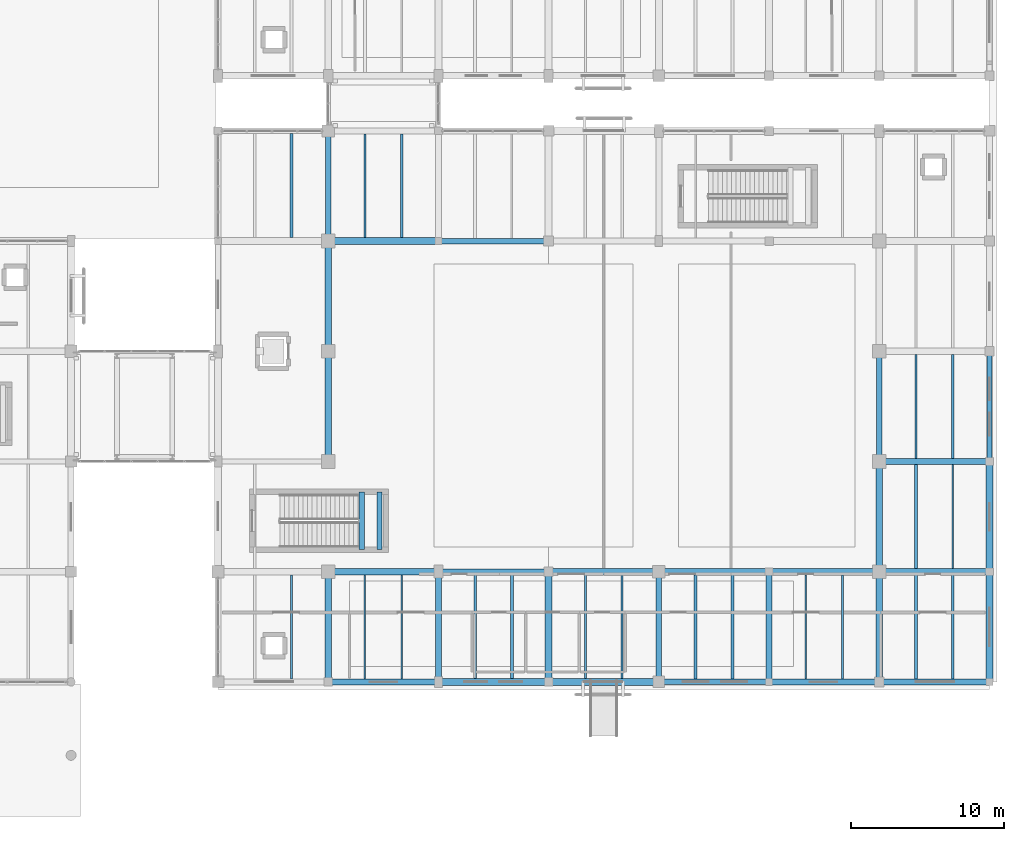
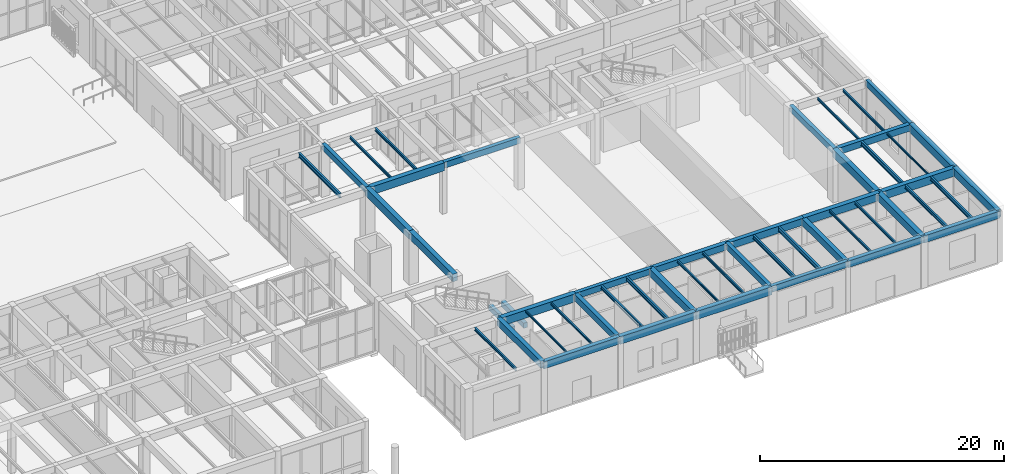
# One storey, part 86 of 169: 51 beams.
"""IFC4 building model written with IfcOpenShell, lengths in metres."""

from ifc_helpers import new_model, si_unit, direction, frame, origin, origin_2d, place, context, subcontext, project, spatial, rectangle, i_section, extrude, material, material_profile, profile_set, type_object, element, save


model = new_model("IFC4")

# Units and contexts
model_context = context("Model", 3, precision=1e-05, world=origin(), true_north=direction((0.0, 1.0)))
body_context = subcontext(model_context, "Body", "Model", "MODEL_VIEW")
ifc_project = project(units=[si_unit("LENGTHUNIT", "METRE"), si_unit("AREAUNIT", "SQUARE_METRE"), si_unit("VOLUMEUNIT", "CUBIC_METRE"), si_unit("PLANEANGLEUNIT", "RADIAN"), si_unit("MASSUNIT", "GRAM", prefix="KILO")], contexts=[model_context])

# Site, building, storey
site_placement = place(None, origin())
site = spatial("IfcSite", under=ifc_project, at=site_placement, CompositionType="ELEMENT")
building_placement = place(site_placement, origin())
building = spatial("IfcBuilding", under=site, at=building_placement, Name="Mazaris Harbour Polytechnic", CompositionType="ELEMENT")
storey_placement = place(building_placement, origin())
storey = spatial("IfcBuildingStorey", under=building, at=storey_placement, Name="L00", CompositionType="ELEMENT", Elevation=0.0)

# Beams
ifc_material_1 = material(Name="Concrete C35/45", Category="concrete")
ifc_material_profile_1 = material_profile(ifc_material_1, rectangle(XDim=0.35009765625, YDim=0.60009765625, at=origin_2d()), Name="RECT350x600")
ifc_profile_set_1 = profile_set([ifc_material_profile_1], Name="Concrete C35/45")
beam_type_1 = type_object("IfcBeamType", Name="RC Girder 350x600", PredefinedType="BEAM", material=ifc_profile_set_1)
for number, where, z_axis, x_axis, name in (
    (1, (136.800048828125, 14.39990234375, 4.800048828125), (1.0, 0.0, 0.0), (0.0, 1.0, 0.0), "V2 L00 Girder 430"),
    (2, (136.800048828125, 36.0, 4.800048828125), (1.0, 0.0, 0.0), (0.0, 1.0, 0.0), "V2 L00 Girder 440"),
    (3, (129.60009765625, 36.0, 4.800048828125), (0.0, 1.0, 0.0), (-1.0, 0.0, 0.0), "V2 L00 Tie Girder 460"),
    (4, (151.199951171875, 7.199951171875, 4.800048828125), (0.0, 1.0, 0.0), (-1.0, 0.0, 0.0), "V2 L00 Tie Girder 465"),
    (5, (165.60009765625, 21.60009765625, 4.800048828125), (0.0, 1.0, 0.0), (-1.0, 0.0, 0.0), "V2 L00 Tie Girder 470"),
):
    element("IfcBeam", number, at=place(storey_placement, frame(where, z_axis=z_axis, x_axis=x_axis)), inside=storey, type_object=beam_type_1, Name=name, PredefinedType="BEAM", context=body_context, shape_type="SweptSolid", body=[
        extrude(rectangle(XDim=0.35009765625, YDim=0.60009765625, at=origin_2d()), origin(), (0.0, 0.0, 1.0), 7.199951171875),
    ])
ifc_material_2 = material(Name="Concrete C35/45", Category="concrete")
ifc_material_profile_2 = material_profile(ifc_material_2, rectangle(XDim=0.35009765625, YDim=0.60009765625, at=origin_2d()), Name="RECT350x600")
ifc_profile_set_2 = profile_set([ifc_material_profile_2], Name="Concrete C35/45")
beam_type_2 = type_object("IfcBeamType", Name="RC Girder 350x600 Exterior", PredefinedType="BEAM", material=ifc_profile_set_2)
for number, where, z_axis, x_axis, name in (
    (6, (151.199951171875, 7.199951171875, 4.800048828125), (1.0, 0.0, 0.0), (0.0, 1.0, 0.0), "V2 L00 Girder 425"),
    (7, (172.800048828125, 21.60009765625, 4.800048828125), (0.0, 1.0, 0.0), (-1.0, 0.0, 0.0), "V2 L00 Tie Girder 475"),
):
    element("IfcBeam", number, at=place(storey_placement, frame(where, z_axis=z_axis, x_axis=x_axis)), inside=storey, type_object=beam_type_2, Name=name, PredefinedType="BEAM", context=body_context, shape_type="SweptSolid", body=[
        extrude(rectangle(XDim=0.35009765625, YDim=0.60009765625, at=origin_2d()), origin(), (0.0, 0.0, 1.0), 7.199951171875),
    ])
ifc_material_3 = material(Name="Concrete C35/45", Category="concrete")
ifc_material_profile_3 = material_profile(ifc_material_3, rectangle(XDim=0.39990234375, YDim=0.64990234375, at=origin_2d()), Name="RECT400x650")
ifc_profile_set_3 = profile_set([ifc_material_profile_3], Name="Concrete C35/45")
beam_type_3 = type_object("IfcBeamType", Name="RC Girder 400x650", PredefinedType="BEAM", material=ifc_profile_set_3)
for number, where, z_axis, x_axis, name in (
    (8, (144.0, 14.39990234375, 4.77490234375), (1.0, 0.0, 0.0), (0.0, 1.0, 0.0), "V2 L00 Girder 431"),
    (9, (165.60009765625, 21.60009765625, 4.77490234375), (1.0, 0.0, 0.0), (0.0, 1.0, 0.0), "V2 L00 Girder 436"),
    (10, (136.800048828125, 7.199951171875, 4.77490234375), (0.0, 1.0, 0.0), (-1.0, 0.0, 0.0), "V2 L00 Tie Girder 461"),
):
    element("IfcBeam", number, at=place(storey_placement, frame(where, z_axis=z_axis, x_axis=x_axis)), inside=storey, type_object=beam_type_3, Name=name, PredefinedType="BEAM", context=body_context, shape_type="SweptSolid", body=[
        extrude(rectangle(XDim=0.39990234375, YDim=0.64990234375, at=origin_2d()), origin(), (0.0, 0.0, 1.0), 7.199951171875),
    ])
ifc_material_4 = material(Name="Concrete C35/45", Category="concrete")
ifc_material_profile_4 = material_profile(ifc_material_4, rectangle(XDim=0.39990234375, YDim=0.64990234375, at=origin_2d()), Name="RECT400x650")
ifc_profile_set_4 = profile_set([ifc_material_profile_4], Name="Concrete C35/45")
beam_type_4 = type_object("IfcBeamType", Name="RC Girder 400x650 Exterior", PredefinedType="BEAM", material=ifc_profile_set_4)
beam_1_placement = place(storey_placement, frame((158.39990234375, 7.199951171875, 4.77490234375), z_axis=(1.0, 0.0, 0.0), x_axis=(0.0, 1.0, 0.0)))
element("IfcBeam", 11, at=beam_1_placement, inside=storey, type_object=beam_type_4, Name="V2 L00 Girder 426", PredefinedType="BEAM", context=body_context, shape_type="SweptSolid", body=[
    extrude(rectangle(XDim=0.39990234375, YDim=0.64990234375, at=origin_2d()), origin(), (0.0, 0.0, 1.0), 7.2001953125),
])
ifc_material_5 = material(Name="Concrete C35/45", Category="concrete")
ifc_material_profile_5 = material_profile(ifc_material_5, rectangle(XDim=0.39990234375, YDim=0.699951171875, at=origin_2d()), Name="RECT400x700")
ifc_profile_set_5 = profile_set([ifc_material_profile_5], Name="Concrete C35/45")
beam_type_5 = type_object("IfcBeamType", Name="RC Girder 400x700", PredefinedType="BEAM", material=ifc_profile_set_5)
for number, where, z_axis, x_axis, name in (
    (12, (151.199951171875, 14.39990234375, 4.75), (1.0, 0.0, 0.0), (0.0, 1.0, 0.0), "V2 L00 Girder 432"),
    (13, (129.60009765625, 7.199951171875, 4.75), (0.0, 1.0, 0.0), (-1.0, 0.0, 0.0), "V2 L00 Tie Girder 457"),
    (14, (158.39990234375, 7.199951171875, 4.75), (0.0, 1.0, 0.0), (-1.0, 0.0, 0.0), "V2 L00 Tie Girder 467"),
):
    element("IfcBeam", number, at=place(storey_placement, frame(where, z_axis=z_axis, x_axis=x_axis)), inside=storey, type_object=beam_type_5, Name=name, PredefinedType="BEAM", context=body_context, shape_type="SweptSolid", body=[
        extrude(rectangle(XDim=0.39990234375, YDim=0.699951171875, at=origin_2d()), origin(), (0.0, 0.0, 1.0), 7.199951171875),
    ])
ifc_material_6 = material(Name="Concrete C35/45", Category="concrete")
ifc_material_profile_6 = material_profile(ifc_material_6, rectangle(XDim=0.39990234375, YDim=0.699951171875, at=origin_2d()), Name="RECT400x700")
ifc_profile_set_6 = profile_set([ifc_material_profile_6], Name="Concrete C35/45")
beam_type_6 = type_object("IfcBeamType", Name="RC Girder 400x700 Exterior", PredefinedType="BEAM", material=ifc_profile_set_6)
for number, where, z_axis, x_axis, name in (
    (15, (129.60009765625, 7.199951171875, 4.75), (1.0, 0.0, 0.0), (0.0, 1.0, 0.0), "V2 L00 Girder 422"),
    (16, (165.60009765625, 7.199951171875, 4.75), (1.0, 0.0, 0.0), (0.0, 1.0, 0.0), "V2 L00 Girder 427"),
):
    element("IfcBeam", number, at=place(storey_placement, frame(where, z_axis=z_axis, x_axis=x_axis)), inside=storey, type_object=beam_type_6, Name=name, PredefinedType="BEAM", context=body_context, shape_type="SweptSolid", body=[
        extrude(rectangle(XDim=0.39990234375, YDim=0.699951171875, at=origin_2d()), origin(), (0.0, 0.0, 1.0), 7.199951171875),
    ])
ifc_material_7 = material(Name="Concrete C40/50", Category="concrete")
ifc_material_profile_7 = material_profile(ifc_material_7, rectangle(XDim=0.449951171875, YDim=0.75, at=origin_2d()), Name="RECT450x750")
ifc_profile_set_7 = profile_set([ifc_material_profile_7], Name="Concrete C40/50")
beam_type_7 = type_object("IfcBeamType", Name="RC Girder 450x750", PredefinedType="BEAM", material=ifc_profile_set_7)
beam_2_placement = place(storey_placement, frame((158.39990234375, 14.39990234375, 4.72509765625), z_axis=(1.0, 0.0, 0.0), x_axis=(0.0, 1.0, 0.0)))
element("IfcBeam", 17, at=beam_2_placement, inside=storey, type_object=beam_type_7, Name="V2 L00 Girder 433", PredefinedType="BEAM", context=body_context, shape_type="SweptSolid", body=[
    extrude(rectangle(XDim=0.449951171875, YDim=0.75, at=origin_2d()), origin(), (0.0, 0.0, 1.0), 7.2001953125),
])
for number, where, z_axis, x_axis, name in (
    (18, (129.60009765625, 21.60009765625, 4.72509765625), (0.0, 1.0, 0.0), (-1.0, 0.0, 0.0), "V2 L00 Tie Girder 458"),
    (19, (144.0, 7.199951171875, 4.72509765625), (0.0, 1.0, 0.0), (-1.0, 0.0, 0.0), "V2 L00 Tie Girder 463"),
    (20, (165.60009765625, 7.199951171875, 4.72509765625), (0.0, 1.0, 0.0), (-1.0, 0.0, 0.0), "V2 L00 Tie Girder 468"),
):
    element("IfcBeam", number, at=place(storey_placement, frame(where, z_axis=z_axis, x_axis=x_axis)), inside=storey, type_object=beam_type_7, Name=name, PredefinedType="BEAM", context=body_context, shape_type="SweptSolid", body=[
        extrude(rectangle(XDim=0.449951171875, YDim=0.75, at=origin_2d()), origin(), (0.0, 0.0, 1.0), 7.199951171875),
    ])
ifc_material_8 = material(Name="Concrete C40/50", Category="concrete")
ifc_material_profile_8 = material_profile(ifc_material_8, rectangle(XDim=0.449951171875, YDim=0.75, at=origin_2d()), Name="RECT450x750")
ifc_profile_set_8 = profile_set([ifc_material_profile_8], Name="Concrete C40/50")
beam_type_8 = type_object("IfcBeamType", Name="RC Girder 450x750 Exterior", PredefinedType="BEAM", material=ifc_profile_set_8)
for number, where, z_axis, x_axis, name in (
    (21, (136.800048828125, 7.199951171875, 4.72509765625), (1.0, 0.0, 0.0), (0.0, 1.0, 0.0), "V2 L00 Girder 423"),
    (22, (172.800048828125, 7.199951171875, 4.72509765625), (0.0, 1.0, 0.0), (-1.0, 0.0, 0.0), "V2 L00 Tie Girder 473"),
):
    element("IfcBeam", number, at=place(storey_placement, frame(where, z_axis=z_axis, x_axis=x_axis)), inside=storey, type_object=beam_type_8, Name=name, PredefinedType="BEAM", context=body_context, shape_type="SweptSolid", body=[
        extrude(rectangle(XDim=0.449951171875, YDim=0.75, at=origin_2d()), origin(), (0.0, 0.0, 1.0), 7.199951171875),
    ])
ifc_material_9 = material(Name="Concrete C40/50", Category="concrete")
ifc_material_profile_9 = material_profile(ifc_material_9, rectangle(XDim=0.449951171875, YDim=0.800048828125, at=origin_2d()), Name="RECT450x800")
ifc_profile_set_9 = profile_set([ifc_material_profile_9], Name="Concrete C40/50")
beam_type_9 = type_object("IfcBeamType", Name="RC Girder 450x800", PredefinedType="BEAM", material=ifc_profile_set_9)
for number, where, z_axis, x_axis, name in (
    (23, (129.60009765625, 14.39990234375, 4.699951171875), (1.0, 0.0, 0.0), (0.0, 1.0, 0.0), "V2 L00 Girder 429"),
    (24, (165.60009765625, 14.39990234375, 4.699951171875), (1.0, 0.0, 0.0), (0.0, 1.0, 0.0), "V2 L00 Girder 434"),
    (25, (129.60009765625, 36.0, 4.699951171875), (1.0, 0.0, 0.0), (0.0, 1.0, 0.0), "V2 L00 Girder 439"),
    (26, (129.60009765625, 28.800048828125, 4.699951171875), (0.0, 1.0, 0.0), (-1.0, 0.0, 0.0), "V2 L00 Tie Girder 459"),
):
    element("IfcBeam", number, at=place(storey_placement, frame(where, z_axis=z_axis, x_axis=x_axis)), inside=storey, type_object=beam_type_9, Name=name, PredefinedType="BEAM", context=body_context, shape_type="SweptSolid", body=[
        extrude(rectangle(XDim=0.449951171875, YDim=0.800048828125, at=origin_2d()), origin(), (0.0, 0.0, 1.0), 7.199951171875),
    ])
beam_3_placement = place(storey_placement, frame((165.60009765625, 14.39990234375, 4.699951171875), z_axis=(0.0, 1.0, 0.0), x_axis=(-1.0, 0.0, 0.0)))
element("IfcBeam", 27, at=beam_3_placement, inside=storey, type_object=beam_type_9, Name="V2 L00 Tie Girder 469", PredefinedType="BEAM", context=body_context, shape_type="SweptSolid", body=[
    extrude(rectangle(XDim=0.449951171875, YDim=0.800048828125, at=origin_2d()), origin(), (0.0, 0.0, 1.0), 7.2001953125),
])
ifc_material_10 = material(Name="Concrete C40/50", Category="concrete")
ifc_material_profile_10 = material_profile(ifc_material_10, rectangle(XDim=0.449951171875, YDim=0.800048828125, at=origin_2d()), Name="RECT450x800")
ifc_profile_set_10 = profile_set([ifc_material_profile_10], Name="Concrete C40/50")
beam_type_10 = type_object("IfcBeamType", Name="RC Girder 450x800 Exterior", PredefinedType="BEAM", material=ifc_profile_set_10)
beam_4_placement = place(storey_placement, frame((144.0, 7.199951171875, 4.699951171875), z_axis=(1.0, 0.0, 0.0), x_axis=(0.0, 1.0, 0.0)))
element("IfcBeam", 28, at=beam_4_placement, inside=storey, type_object=beam_type_10, Name="V2 L00 Girder 424", PredefinedType="BEAM", context=body_context, shape_type="SweptSolid", body=[
    extrude(rectangle(XDim=0.449951171875, YDim=0.800048828125, at=origin_2d()), origin(), (0.0, 0.0, 1.0), 7.199951171875),
])
beam_5_placement = place(storey_placement, frame((172.800048828125, 14.39990234375, 4.699951171875), z_axis=(0.0, 1.0, 0.0), x_axis=(-1.0, 0.0, 0.0)))
element("IfcBeam", 29, at=beam_5_placement, inside=storey, type_object=beam_type_10, Name="V2 L00 Tie Girder 474", PredefinedType="BEAM", context=body_context, shape_type="SweptSolid", body=[
    extrude(rectangle(XDim=0.449951171875, YDim=0.800048828125, at=origin_2d()), origin(), (0.0, 0.0, 1.0), 7.2001953125),
])
ifc_material_11 = material(Name="Concrete C40/50", Category="concrete")
ifc_material_profile_11 = material_profile(ifc_material_11, rectangle(XDim=0.35009765625, YDim=0.52001953125, at=origin_2d()), Name="RECT350x520")
ifc_profile_set_11 = profile_set([ifc_material_profile_11], Name="Concrete C40/50")
beam_type_11 = type_object("IfcBeamType", Name="RC Landing Bearer 350x520", PredefinedType="BEAM", material=ifc_profile_set_11)
for number, where, z_axis, x_axis, name in (
    (30, (131.800048828125, 15.85009765625, 2.239990234375), (0.0, 1.0, 0.0), (-1.0, 0.0, 0.0), "Core ST03 L00 Landing Bearer"),
    (31, (132.949951171875, 15.85009765625, 2.239990234375), (0.0, 1.0, 0.0), (-1.0, 0.0, 0.0), "Core ST03 L00 Landing Bearer"),
):
    element("IfcBeam", number, at=place(storey_placement, frame(where, z_axis=z_axis, x_axis=x_axis)), inside=storey, type_object=beam_type_11, Name=name, PredefinedType="BEAM", context=body_context, shape_type="SweptSolid", body=[
        extrude(rectangle(XDim=0.35009765625, YDim=0.52001953125, at=origin_2d()), origin(), (0.0, 0.0, 1.0), 3.75),
    ])
ifc_material_12 = material(Name="Steel S355", Category="steel")
ifc_material_profile_12 = material_profile(ifc_material_12, i_section(OverallWidth=0.10009765625, OverallDepth=0.199951171875, WebThickness=0.005615234375, FlangeThickness=0.008544921875, FilletRadius=0.011962890625, at=origin_2d()), Name="IPE 200")
ifc_profile_set_12 = profile_set([ifc_material_profile_12], Name="Steel S355")
beam_type_12 = type_object("IfcBeamType", Name="Steel Joist IPE200", PredefinedType="JOIST", material=ifc_profile_set_12)
beam_6_placement = place(storey_placement, frame((132.0, 7.39990234375, 5.0), z_axis=(0.0, 1.0, 0.0), x_axis=(-1.0, 0.0, 0.0)))
element("IfcBeam", 32, at=beam_6_placement, inside=storey, type_object=beam_type_12, Name="V2 L00 Floor Joist 483", PredefinedType="JOIST", context=body_context, shape_type="SweptSolid", body=[
    extrude(i_section(OverallWidth=0.10009765625, OverallDepth=0.199951171875, WebThickness=0.005615234375, FlangeThickness=0.008544921875, FilletRadius=0.011962890625, at=origin_2d()), origin(), (0.0, 0.0, 1.0), 6.775146484375),
])
beam_7_placement = place(storey_placement, frame((170.39990234375, 14.625, 5.0), z_axis=(0.0, 1.0, 0.0), x_axis=(-1.0, 0.0, 0.0)))
element("IfcBeam", 33, at=beam_7_placement, inside=storey, type_object=beam_type_12, Name="V2 L00 Floor Joist 504", PredefinedType="JOIST", context=body_context, shape_type="SweptSolid", body=[
    extrude(i_section(OverallWidth=0.10009765625, OverallDepth=0.199951171875, WebThickness=0.005615234375, FlangeThickness=0.008544921875, FilletRadius=0.011962890625, at=origin_2d()), origin(), (0.0, 0.0, 1.0), 6.77490234375),
])
ifc_material_13 = material(Name="Steel S355", Category="steel")
ifc_material_profile_13 = material_profile(ifc_material_13, i_section(OverallWidth=0.1201171875, OverallDepth=0.239990234375, WebThickness=0.006103515625, FlangeThickness=0.009765625, FilletRadius=0.014892578125, at=origin_2d()), Name="IPE 240")
ifc_profile_set_13 = profile_set([ifc_material_profile_13], Name="Steel S355")
beam_type_13 = type_object("IfcBeamType", Name="Steel Joist IPE240", PredefinedType="JOIST", material=ifc_profile_set_13)
beam_8_placement = place(storey_placement, frame((134.39990234375, 7.39990234375, 4.97998046875), z_axis=(0.0, 1.0, 0.0), x_axis=(-1.0, 0.0, 0.0)))
element("IfcBeam", 34, at=beam_8_placement, inside=storey, type_object=beam_type_13, Name="V2 L00 Floor Joist 484", PredefinedType="JOIST", context=body_context, shape_type="SweptSolid", body=[
    extrude(i_section(OverallWidth=0.1201171875, OverallDepth=0.239990234375, WebThickness=0.006103515625, FlangeThickness=0.009765625, FilletRadius=0.014892578125, at=origin_2d()), origin(), (0.0, 0.0, 1.0), 6.775146484375),
])
beam_9_placement = place(storey_placement, frame((146.39990234375, 7.425048828125, 4.97998046875), z_axis=(0.0, 1.0, 0.0), x_axis=(-1.0, 0.0, 0.0)))
element("IfcBeam", 35, at=beam_9_placement, inside=storey, type_object=beam_type_13, Name="V2 L00 Floor Joist 491", PredefinedType="JOIST", context=body_context, shape_type="SweptSolid", body=[
    extrude(i_section(OverallWidth=0.1201171875, OverallDepth=0.239990234375, WebThickness=0.006103515625, FlangeThickness=0.009765625, FilletRadius=0.014892578125, at=origin_2d()), origin(), (0.0, 0.0, 1.0), 6.77490234375),
])
beam_10_placement = place(storey_placement, frame((160.800048828125, 7.39990234375, 4.97998046875), z_axis=(0.0, 1.0, 0.0), x_axis=(-1.0, 0.0, 0.0)))
element("IfcBeam", 36, at=beam_10_placement, inside=storey, type_object=beam_type_13, Name="V2 L00 Floor Joist 498", PredefinedType="JOIST", context=body_context, shape_type="SweptSolid", body=[
    extrude(i_section(OverallWidth=0.1201171875, OverallDepth=0.239990234375, WebThickness=0.006103515625, FlangeThickness=0.009765625, FilletRadius=0.014892578125, at=origin_2d()), origin(), (0.0, 0.0, 1.0), 6.775146484375),
])
beam_11_placement = place(storey_placement, frame((168.0, 21.800048828125, 4.97998046875), z_axis=(0.0, 1.0, 0.0), x_axis=(-1.0, 0.0, 0.0)))
element("IfcBeam", 37, at=beam_11_placement, inside=storey, type_object=beam_type_13, Name="V2 L00 Floor Joist 505", PredefinedType="JOIST", context=body_context, shape_type="SweptSolid", body=[
    extrude(i_section(OverallWidth=0.1201171875, OverallDepth=0.239990234375, WebThickness=0.006103515625, FlangeThickness=0.009765625, FilletRadius=0.014892578125, at=origin_2d()), origin(), (0.0, 0.0, 1.0), 6.800048828125),
])
ifc_material_14 = material(Name="Steel S355", Category="steel")
ifc_material_profile_14 = material_profile(ifc_material_14, i_section(OverallWidth=0.135009765625, OverallDepth=0.27001953125, WebThickness=0.006591796875, FlangeThickness=0.01025390625, FilletRadius=0.014892578125, at=origin_2d()), Name="IPE 270")
ifc_profile_set_14 = profile_set([ifc_material_profile_14], Name="Steel S355")
beam_type_14 = type_object("IfcBeamType", Name="Steel Joist IPE270", PredefinedType="JOIST", material=ifc_profile_set_14)
for number, where, z_axis, x_axis, name in (
    (38, (132.0, 36.22509765625, 4.965087890625), (0.0, 1.0, 0.0), (-1.0, 0.0, 0.0), "V2 L00 Floor Joist 485"),
    (39, (148.800048828125, 7.425048828125, 4.965087890625), (0.0, 1.0, 0.0), (-1.0, 0.0, 0.0), "V2 L00 Floor Joist 492"),
):
    element("IfcBeam", number, at=place(storey_placement, frame(where, z_axis=z_axis, x_axis=x_axis)), inside=storey, type_object=beam_type_14, Name=name, PredefinedType="JOIST", context=body_context, shape_type="SweptSolid", body=[
        extrude(i_section(OverallWidth=0.135009765625, OverallDepth=0.27001953125, WebThickness=0.006591796875, FlangeThickness=0.01025390625, FilletRadius=0.014892578125, at=origin_2d()), origin(), (0.0, 0.0, 1.0), 6.77490234375),
    ])
beam_12_placement = place(storey_placement, frame((163.199951171875, 7.39990234375, 4.965087890625), z_axis=(0.0, 1.0, 0.0), x_axis=(-1.0, 0.0, 0.0)))
element("IfcBeam", 40, at=beam_12_placement, inside=storey, type_object=beam_type_14, Name="V2 L00 Floor Joist 499", PredefinedType="JOIST", context=body_context, shape_type="SweptSolid", body=[
    extrude(i_section(OverallWidth=0.135009765625, OverallDepth=0.27001953125, WebThickness=0.006591796875, FlangeThickness=0.01025390625, FilletRadius=0.014892578125, at=origin_2d()), origin(), (0.0, 0.0, 1.0), 6.775146484375),
])
beam_13_placement = place(storey_placement, frame((170.39990234375, 21.800048828125, 4.965087890625), z_axis=(0.0, 1.0, 0.0), x_axis=(-1.0, 0.0, 0.0)))
element("IfcBeam", 41, at=beam_13_placement, inside=storey, type_object=beam_type_14, Name="V2 L00 Floor Joist 506", PredefinedType="JOIST", context=body_context, shape_type="SweptSolid", body=[
    extrude(i_section(OverallWidth=0.135009765625, OverallDepth=0.27001953125, WebThickness=0.006591796875, FlangeThickness=0.01025390625, FilletRadius=0.014892578125, at=origin_2d()), origin(), (0.0, 0.0, 1.0), 6.800048828125),
])
ifc_material_15 = material(Name="Steel S355", Category="steel")
ifc_material_profile_15 = material_profile(ifc_material_15, i_section(OverallWidth=0.14990234375, OverallDepth=0.300048828125, WebThickness=0.007080078125, FlangeThickness=0.0107421875, FilletRadius=0.014892578125, at=origin_2d()), Name="IPE 300")
ifc_profile_set_15 = profile_set([ifc_material_profile_15], Name="Steel S355")
beam_type_15 = type_object("IfcBeamType", Name="Steel Joist IPE300", PredefinedType="JOIST", material=ifc_profile_set_15)
beam_14_placement = place(storey_placement, frame((127.199951171875, 7.39990234375, 4.949951171875), z_axis=(0.0, 1.0, 0.0), x_axis=(-1.0, 0.0, 0.0)))
element("IfcBeam", 42, at=beam_14_placement, inside=storey, type_object=beam_type_15, Name="V2 L00 Floor Joist 479", PredefinedType="JOIST", context=body_context, shape_type="SweptSolid", body=[
    extrude(i_section(OverallWidth=0.14990234375, OverallDepth=0.300048828125, WebThickness=0.007080078125, FlangeThickness=0.0107421875, FilletRadius=0.014892578125, at=origin_2d()), origin(), (0.0, 0.0, 1.0), 6.775146484375),
])
beam_15_placement = place(storey_placement, frame((134.39990234375, 36.22509765625, 4.949951171875), z_axis=(0.0, 1.0, 0.0), x_axis=(-1.0, 0.0, 0.0)))
element("IfcBeam", 43, at=beam_15_placement, inside=storey, type_object=beam_type_15, Name="V2 L00 Floor Joist 486", PredefinedType="JOIST", context=body_context, shape_type="SweptSolid", body=[
    extrude(i_section(OverallWidth=0.14990234375, OverallDepth=0.300048828125, WebThickness=0.007080078125, FlangeThickness=0.0107421875, FilletRadius=0.014892578125, at=origin_2d()), origin(), (0.0, 0.0, 1.0), 6.77490234375),
])
ifc_material_16 = material(Name="Steel S355", Category="steel")
ifc_material_profile_16 = material_profile(ifc_material_16, i_section(OverallWidth=0.169921875, OverallDepth=0.360107421875, WebThickness=0.008056640625, FlangeThickness=0.0126953125, FilletRadius=0.01806640625, at=origin_2d()), Name="IPE 360")
ifc_profile_set_16 = profile_set([ifc_material_profile_16], Name="Steel S355")
beam_type_16 = type_object("IfcBeamType", Name="Steel Joist IPE360", PredefinedType="JOIST", material=ifc_profile_set_16)
beam_16_placement = place(storey_placement, frame((139.199951171875, 7.425048828125, 4.919921875), z_axis=(0.0, 1.0, 0.0), x_axis=(-1.0, 0.0, 0.0)))
element("IfcBeam", 44, at=beam_16_placement, inside=storey, type_object=beam_type_16, Name="V2 L00 Floor Joist 487", PredefinedType="JOIST", context=body_context, shape_type="SweptSolid", body=[
    extrude(i_section(OverallWidth=0.169921875, OverallDepth=0.360107421875, WebThickness=0.008056640625, FlangeThickness=0.0126953125, FilletRadius=0.01806640625, at=origin_2d()), origin(), (0.0, 0.0, 1.0), 6.800048828125),
])
beam_17_placement = place(storey_placement, frame((168.0, 7.39990234375, 4.919921875), z_axis=(0.0, 1.0, 0.0), x_axis=(-1.0, 0.0, 0.0)))
element("IfcBeam", 45, at=beam_17_placement, inside=storey, type_object=beam_type_16, Name="V2 L00 Floor Joist 501", PredefinedType="JOIST", context=body_context, shape_type="SweptSolid", body=[
    extrude(i_section(OverallWidth=0.169921875, OverallDepth=0.360107421875, WebThickness=0.008056640625, FlangeThickness=0.0126953125, FilletRadius=0.01806640625, at=origin_2d()), origin(), (0.0, 0.0, 1.0), 6.775146484375),
])
ifc_material_17 = material(Name="Steel S355", Category="steel")
ifc_material_profile_17 = material_profile(ifc_material_17, i_section(OverallWidth=0.179931640625, OverallDepth=0.39990234375, WebThickness=0.008544921875, FlangeThickness=0.013427734375, FilletRadius=0.02099609375, at=origin_2d()), Name="IPE 400")
ifc_profile_set_17 = profile_set([ifc_material_profile_17], Name="Steel S355")
beam_type_17 = type_object("IfcBeamType", Name="Steel Joist IPE400", PredefinedType="JOIST", material=ifc_profile_set_17)
beam_18_placement = place(storey_placement, frame((141.60009765625, 7.425048828125, 4.89990234375), z_axis=(0.0, 1.0, 0.0), x_axis=(-1.0, 0.0, 0.0)))
element("IfcBeam", 46, at=beam_18_placement, inside=storey, type_object=beam_type_17, Name="V2 L00 Floor Joist 488", PredefinedType="JOIST", context=body_context, shape_type="SweptSolid", body=[
    extrude(i_section(OverallWidth=0.179931640625, OverallDepth=0.39990234375, WebThickness=0.008544921875, FlangeThickness=0.013427734375, FilletRadius=0.02099609375, at=origin_2d()), origin(), (0.0, 0.0, 1.0), 6.800048828125),
])
beam_19_placement = place(storey_placement, frame((153.60009765625, 7.375, 4.89990234375), z_axis=(0.0, 1.0, 0.0), x_axis=(-1.0, 0.0, 0.0)))
element("IfcBeam", 47, at=beam_19_placement, inside=storey, type_object=beam_type_17, Name="V2 L00 Floor Joist 495", PredefinedType="JOIST", context=body_context, shape_type="SweptSolid", body=[
    extrude(i_section(OverallWidth=0.179931640625, OverallDepth=0.39990234375, WebThickness=0.008544921875, FlangeThickness=0.013427734375, FilletRadius=0.02099609375, at=origin_2d()), origin(), (0.0, 0.0, 1.0), 6.824951171875),
])
beam_20_placement = place(storey_placement, frame((170.39990234375, 7.39990234375, 4.89990234375), z_axis=(0.0, 1.0, 0.0), x_axis=(-1.0, 0.0, 0.0)))
element("IfcBeam", 48, at=beam_20_placement, inside=storey, type_object=beam_type_17, Name="V2 L00 Floor Joist 502", PredefinedType="JOIST", context=body_context, shape_type="SweptSolid", body=[
    extrude(i_section(OverallWidth=0.179931640625, OverallDepth=0.39990234375, WebThickness=0.008544921875, FlangeThickness=0.013427734375, FilletRadius=0.02099609375, at=origin_2d()), origin(), (0.0, 0.0, 1.0), 6.775146484375),
])
ifc_material_18 = material(Name="Steel S355", Category="steel")
ifc_material_profile_18 = material_profile(ifc_material_18, i_section(OverallWidth=0.18994140625, OverallDepth=0.449951171875, WebThickness=0.009521484375, FlangeThickness=0.0146484375, FilletRadius=0.02099609375, at=origin_2d()), Name="IPE 450")
ifc_profile_set_18 = profile_set([ifc_material_profile_18], Name="Steel S355")
beam_type_18 = type_object("IfcBeamType", Name="Steel Joist IPE450", PredefinedType="JOIST", material=ifc_profile_set_18)
beam_21_placement = place(storey_placement, frame((127.199951171875, 36.22509765625, 4.875), z_axis=(0.0, 1.0, 0.0), x_axis=(-1.0, 0.0, 0.0)))
element("IfcBeam", 49, at=beam_21_placement, inside=storey, type_object=beam_type_18, Name="V2 L00 Floor Joist 482", PredefinedType="JOIST", context=body_context, shape_type="SweptSolid", body=[
    extrude(i_section(OverallWidth=0.18994140625, OverallDepth=0.449951171875, WebThickness=0.009521484375, FlangeThickness=0.0146484375, FilletRadius=0.02099609375, at=origin_2d()), origin(), (0.0, 0.0, 1.0), 6.7998046875),
])
beam_22_placement = place(storey_placement, frame((156.0, 7.375, 4.875), z_axis=(0.0, 1.0, 0.0), x_axis=(-1.0, 0.0, 0.0)))
element("IfcBeam", 50, at=beam_22_placement, inside=storey, type_object=beam_type_18, Name="V2 L00 Floor Joist 496", PredefinedType="JOIST", context=body_context, shape_type="SweptSolid", body=[
    extrude(i_section(OverallWidth=0.18994140625, OverallDepth=0.449951171875, WebThickness=0.009521484375, FlangeThickness=0.0146484375, FilletRadius=0.02099609375, at=origin_2d()), origin(), (0.0, 0.0, 1.0), 6.824951171875),
])
beam_23_placement = place(storey_placement, frame((168.0, 14.625, 4.875), z_axis=(0.0, 1.0, 0.0), x_axis=(-1.0, 0.0, 0.0)))
element("IfcBeam", 51, at=beam_23_placement, inside=storey, type_object=beam_type_18, Name="V2 L00 Floor Joist 503", PredefinedType="JOIST", context=body_context, shape_type="SweptSolid", body=[
    extrude(i_section(OverallWidth=0.18994140625, OverallDepth=0.449951171875, WebThickness=0.009521484375, FlangeThickness=0.0146484375, FilletRadius=0.02099609375, at=origin_2d()), origin(), (0.0, 0.0, 1.0), 6.77490234375),
])

save(model, "model.ifc")
